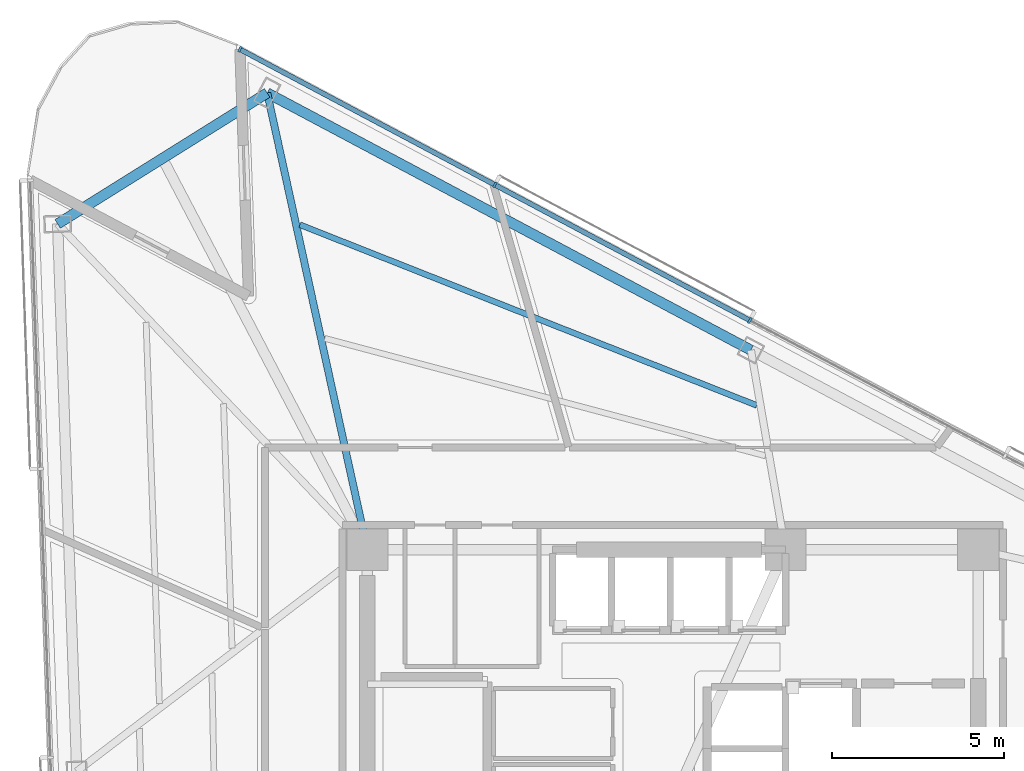
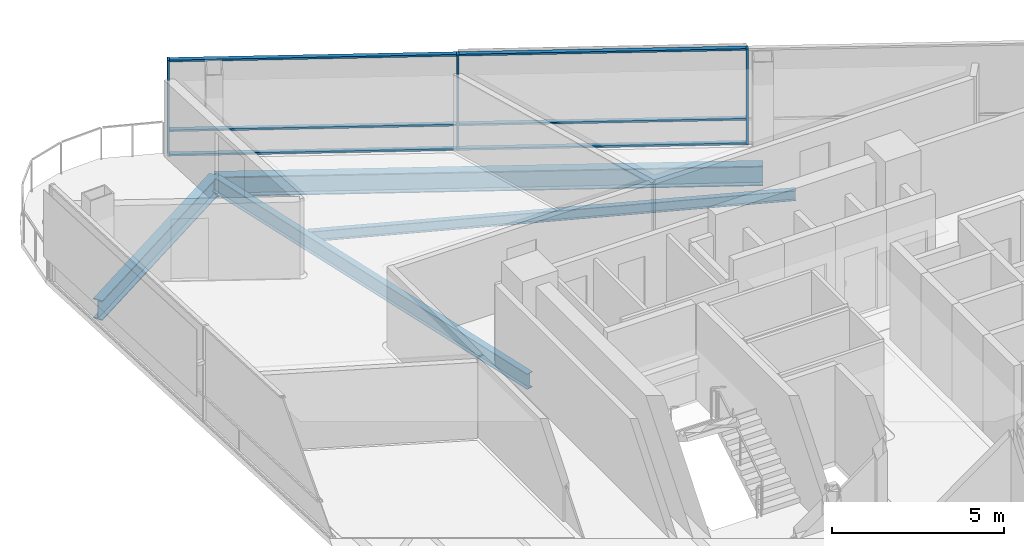
# One storey, part 9 of 21: 9 members, 4 beams, 1 element without a shape of its own.
"""IFC4 building model written with IfcOpenShell, lengths in metres."""

from ifc_helpers import new_model, si_unit, direction, frame, origin, origin_2d, place, context, subcontext, project, spatial, rectangle, i_section, extrude, material, layer, layer_set, material_profile, profile_set, type_object, element, aggregate, save


model = new_model("IFC4")

# Units and contexts
model_context = context("Model", 3, precision=1e-05, world=origin(), true_north=direction((0.0, 1.0)))
body_context = subcontext(model_context, "Body", "Model", "MODEL_VIEW")
ifc_project = project(units=[si_unit("LENGTHUNIT", "METRE"), si_unit("AREAUNIT", "SQUARE_METRE"), si_unit("VOLUMEUNIT", "CUBIC_METRE"), si_unit("PLANEANGLEUNIT", "RADIAN"), si_unit("MASSUNIT", "GRAM", prefix="KILO")], contexts=[model_context])

# Site, building, storey
site_placement = place(None, origin())
site = spatial("IfcSite", under=ifc_project, at=site_placement, CompositionType="ELEMENT")
building_placement = place(site_placement, origin())
building = spatial("IfcBuilding", under=site, at=building_placement, Name="Tharavind Bronze Gate", CompositionType="ELEMENT")
storey_placement = place(building_placement, frame((0.0, 0.0, 156.800048828125)))
storey = spatial("IfcBuildingStorey", under=building, at=storey_placement, Name="L40", CompositionType="ELEMENT", Elevation=156.800048828125)

# Curtain wall, members
ifc_material_1 = material(Name="Anodised Bronze Aluminium", Category="aluminium")
ifc_layer = layer(ifc_material_1, 0.219970703125)
ifc_layer_set = layer_set([ifc_layer], Name="Anodised Bronze Aluminium")
curtain_wall_type = type_object("IfcCurtainWallType", Name="UNITISED CURTAIN WALL MID OFFICE", PredefinedType="USERDEFINED", material=ifc_layer_set)
curtain_wall_placement = place(storey_placement, origin())
curtain_wall = element("IfcCurtainWall", 1, at=curtain_wall_placement, inside=storey, type_object=curtain_wall_type, Name="L40 unitised curtain wall mid office CW-L40-S3", ObjectType="UNITISED CURTAIN WALL", PredefinedType="USERDEFINED")
member_type_1 = type_object("IfcMemberType", Name="CURTAIN WALL BRONZE MULLION 65X180", PredefinedType="MULLION", material=ifc_material_1)
member_1_placement = place(storey_placement, frame((2.245361328125, 14.279052734375, 0.0), z_axis=(0.0, 0.0, 1.0), x_axis=(-0.882947592859, 0.469471562786, 0.0)))
member_1 = element("IfcMember", 2, at=member_1_placement, type_object=member_type_1, Name="CW-L40-S3 mullion 5", PredefinedType="MULLION", context=body_context, shape_type="SweptSolid", body=[
    extrude(rectangle(XDim=0.06494140625, YDim=0.179931640625, at=origin_2d()), origin(), (0.0, 0.0, 1.0), 3.409912109375),
])
member_2_placement = place(storey_placement, frame((-5.184326171875, 18.2294921875, 0.0), z_axis=(0.0, 0.0, 1.0), x_axis=(-0.882947592859, 0.469471562786, 0.0)))
member_2 = element("IfcMember", 3, at=member_2_placement, type_object=member_type_1, Name="CW-L40-S3 mullion 6", PredefinedType="MULLION", context=body_context, shape_type="SweptSolid", body=[
    extrude(rectangle(XDim=0.06494140625, YDim=0.179931640625, at=origin_2d()), origin(), (0.0, 0.0, 1.0), 3.409912109375),
])
member_3_placement = place(storey_placement, frame((-12.614013671875, 22.179931640625, 0.0), z_axis=(0.0, 0.0, 1.0), x_axis=(-0.882947592859, 0.469471562786, 0.0)))
member_3 = element("IfcMember", 4, at=member_3_placement, type_object=member_type_1, Name="CW-L40-S3 mullion 7", PredefinedType="MULLION", context=body_context, shape_type="SweptSolid", body=[
    extrude(rectangle(XDim=0.06494140625, YDim=0.179931640625, at=origin_2d()), origin(), (0.0, 0.0, 1.0), 3.409912109375),
])
member_type_2 = type_object("IfcMemberType", Name="CURTAIN WALL BRONZE TRANSOM 65X140", PredefinedType="USERDEFINED", material=ifc_material_1)
member_4_placement = place(storey_placement, frame((-1.469482421875, 16.25439453125, 0.0), z_axis=(0.0, 0.0, 1.0), x_axis=(-0.882947592859, 0.469471562786, 0.0)))
member_4 = element("IfcMember", 5, at=member_4_placement, type_object=member_type_2, Name="CW-L40-S3 transom TB5", ObjectType="TRANSOM", PredefinedType="USERDEFINED", context=body_context, shape_type="SweptSolid", body=[
    extrude(rectangle(XDim=8.361572265625, YDim=0.139892578125, at=origin_2d()), origin(), (0.0, 0.0, 1.0), 0.06494140625),
])
member_5_placement = place(storey_placement, frame((-1.469482421875, 16.25439453125, 0.867431640625), z_axis=(0.0, 0.0, 1.0), x_axis=(-0.882947592859, 0.469471562786, 0.0)))
member_5 = element("IfcMember", 6, at=member_5_placement, type_object=member_type_2, Name="CW-L40-S3 transom TS5", ObjectType="TRANSOM", PredefinedType="USERDEFINED", context=body_context, shape_type="SweptSolid", body=[
    extrude(rectangle(XDim=8.361572265625, YDim=0.139892578125, at=origin_2d()), origin(), (0.0, 0.0, 1.0), 0.06494140625),
])
member_6_placement = place(storey_placement, frame((-1.469482421875, 16.25439453125, 3.344970703125), z_axis=(0.0, 0.0, 1.0), x_axis=(-0.882947592859, 0.469471562786, 0.0)))
member_6 = element("IfcMember", 7, at=member_6_placement, type_object=member_type_2, Name="CW-L40-S3 transom TT5", ObjectType="TRANSOM", PredefinedType="USERDEFINED", context=body_context, shape_type="SweptSolid", body=[
    extrude(rectangle(XDim=8.361572265625, YDim=0.139892578125, at=origin_2d()), origin(), (0.0, 0.0, 1.0), 0.06494140625),
])
member_7_placement = place(storey_placement, frame((-8.899169921875, 20.20458984375, 0.0), z_axis=(0.0, 0.0, 1.0), x_axis=(-0.882947592859, 0.469471562786, 0.0)))
member_7 = element("IfcMember", 8, at=member_7_placement, type_object=member_type_2, Name="CW-L40-S3 transom TB6", ObjectType="TRANSOM", PredefinedType="USERDEFINED", context=body_context, shape_type="SweptSolid", body=[
    extrude(rectangle(XDim=8.361572265625, YDim=0.139892578125, at=origin_2d()), origin(), (0.0, 0.0, 1.0), 0.06494140625),
])
member_8_placement = place(storey_placement, frame((-8.899169921875, 20.20458984375, 0.867431640625), z_axis=(0.0, 0.0, 1.0), x_axis=(-0.882947592859, 0.469471562786, 0.0)))
member_8 = element("IfcMember", 9, at=member_8_placement, type_object=member_type_2, Name="CW-L40-S3 transom TS6", ObjectType="TRANSOM", PredefinedType="USERDEFINED", context=body_context, shape_type="SweptSolid", body=[
    extrude(rectangle(XDim=8.361572265625, YDim=0.139892578125, at=origin_2d()), origin(), (0.0, 0.0, 1.0), 0.06494140625),
])
member_9_placement = place(storey_placement, frame((-8.899169921875, 20.20458984375, 3.344970703125), z_axis=(0.0, 0.0, 1.0), x_axis=(-0.882947592859, 0.469471562786, 0.0)))
member_9 = element("IfcMember", 10, at=member_9_placement, type_object=member_type_2, Name="CW-L40-S3 transom TT6", ObjectType="TRANSOM", PredefinedType="USERDEFINED", context=body_context, shape_type="SweptSolid", body=[
    extrude(rectangle(XDim=8.361572265625, YDim=0.139892578125, at=origin_2d()), origin(), (0.0, 0.0, 1.0), 0.06494140625),
])
aggregate(curtain_wall, [member_1, member_2, member_3, member_4, member_5, member_6, member_7, member_8, member_9])

# Beams
ifc_material_2 = material(Name="Steel S355", Category="steel")
ifc_material_profile_1 = material_profile(ifc_material_2, i_section(OverallWidth=0.2099609375, OverallDepth=0.550048828125, WebThickness=0.010986328125, FlangeThickness=0.01708984375, at=origin_2d()), Name="IPE550")
ifc_profile_set_1 = profile_set([ifc_material_profile_1], Name="Steel S355")
beam_type_1 = type_object("IfcBeamType", Name="PRIMARY GIRDER IPE550", PredefinedType="USERDEFINED", material=ifc_profile_set_1)
beam_1_placement = place(storey_placement, frame((-11.819091796875, 20.90771484375, -0.465087890625), z_axis=(0.21426760531, -0.976774996258, 0.0), x_axis=(0.976774996258, 0.21426760531, 0.0)))
element("IfcBeam", 11, at=beam_1_placement, inside=storey, type_object=beam_type_1, Name="L40 primary girder ipe550 BM-L40-RAD12", ObjectType="GIRDER", PredefinedType="USERDEFINED", context=body_context, shape_type="SweptSolid", body=[
    extrude(i_section(OverallWidth=0.2099609375, OverallDepth=0.550048828125, WebThickness=0.010986328125, FlangeThickness=0.01708984375, at=origin_2d()), origin(), (0.0, 0.0, 1.0), 13.6240234375),
])
ifc_material_profile_2 = material_profile(ifc_material_2, i_section(OverallWidth=0.300048828125, OverallDepth=0.699951171875, WebThickness=0.01708984375, FlangeThickness=0.031982421875, at=origin_2d()), Name="HE700B")
ifc_profile_set_2 = profile_set([ifc_material_profile_2], Name="Steel S355")
beam_type_2 = type_object("IfcBeamType", Name="RING GIRDER HE700B", PredefinedType="USERDEFINED", material=ifc_profile_set_2)
beam_2_placement = place(storey_placement, frame((2.275634765625, 13.41357421875, -0.5400390625), z_axis=(-0.882951706672, 0.469463825747, 0.0), x_axis=(-0.469463825747, -0.882951706672, 0.0)))
element("IfcBeam", 12, at=beam_2_placement, inside=storey, type_object=beam_type_2, Name="L40 ring girder he700b BM-L40-PRG11", ObjectType="GIRDER", PredefinedType="USERDEFINED", context=body_context, shape_type="SweptSolid", body=[
    extrude(i_section(OverallWidth=0.300048828125, OverallDepth=0.699951171875, WebThickness=0.01708984375, FlangeThickness=0.031982421875, at=origin_2d()), origin(), (0.0, 0.0, 1.0), 15.963134765625),
])
beam_3_placement = place(storey_placement, frame((-11.819091796875, 20.90771484375, -0.5400390625), z_axis=(-0.848038306973, -0.52993492988, 0.0), x_axis=(0.52993492988, -0.848038306973, 0.0)))
element("IfcBeam", 13, at=beam_3_placement, inside=storey, type_object=beam_type_2, Name="L40 ring girder he700b BM-L40-PRG12", ObjectType="GIRDER", PredefinedType="USERDEFINED", context=body_context, shape_type="SweptSolid", body=[
    extrude(i_section(OverallWidth=0.300048828125, OverallDepth=0.699951171875, WebThickness=0.01708984375, FlangeThickness=0.031982421875, at=origin_2d()), origin(), (0.0, 0.0, 1.0), 7.19970703125),
])
ifc_material_profile_3 = material_profile(ifc_material_2, i_section(OverallWidth=0.169921875, OverallDepth=0.360107421875, WebThickness=0.008056640625, FlangeThickness=0.0126953125, at=origin_2d()), Name="IPE360")
ifc_profile_set_3 = profile_set([ifc_material_profile_3], Name="Steel S355")
beam_type_3 = type_object("IfcBeamType", Name="SECONDARY FLOOR JOIST IPE360", PredefinedType="JOIST", material=ifc_profile_set_3)
beam_4_placement = place(storey_placement, frame((2.44384765625, 11.803466796875, -0.3701171875), z_axis=(-0.929918939499, 0.367764552344, 0.0), x_axis=(-0.367764552344, -0.929918939499, 0.0)))
element("IfcBeam", 14, at=beam_4_placement, inside=storey, type_object=beam_type_3, Name="L40 secondary floor joist ipe360 BM-L40-JSTB11", PredefinedType="JOIST", context=body_context, shape_type="SweptSolid", body=[
    extrude(i_section(OverallWidth=0.169921875, OverallDepth=0.360107421875, WebThickness=0.008056640625, FlangeThickness=0.0126953125, at=origin_2d()), origin(), (0.0, 0.0, 1.0), 14.3125),
])

save(model, "model.ifc")
